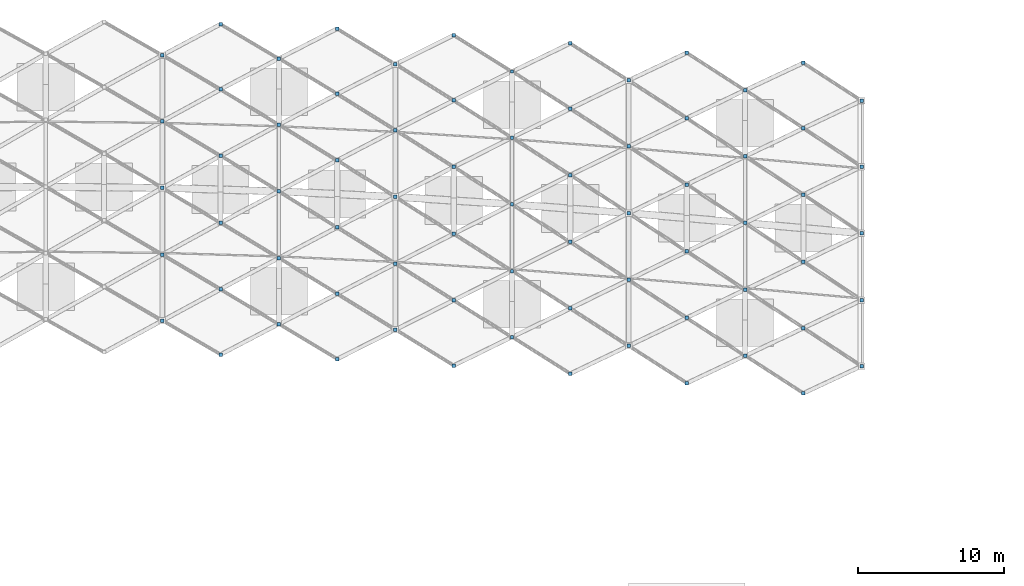
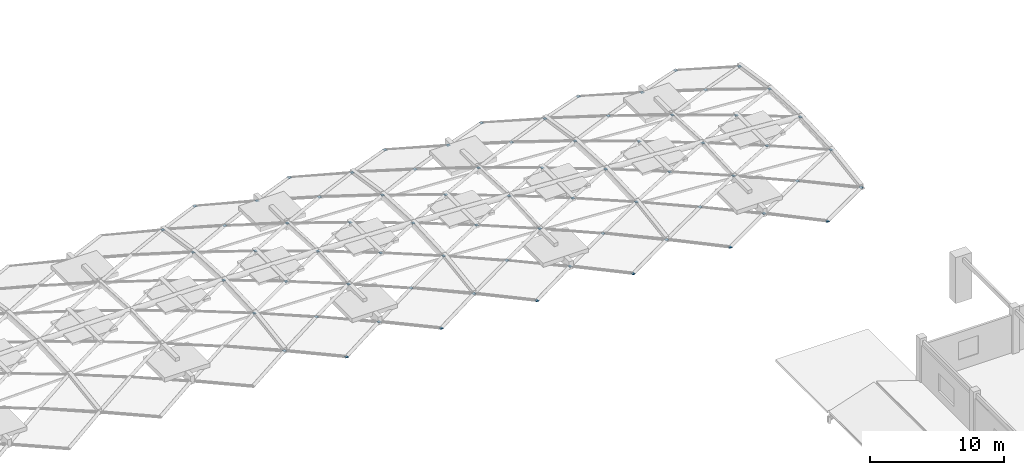
# One storey, part 22 of 27: 71 discrete accessories.
"""IFC4 building model written with IfcOpenShell, lengths in metres."""

import ifcopenshell
import ifcopenshell.guid

model = None  # the IFC model being written
_history = None  # IfcOwnerHistory: only IFC2X3 demands one
_inside = {}  # id of a spatial element -> (the spatial element, [elements in it])
_under = {}  # id of a project, library or spatial element -> (it, [spatial elements below it])
_declared = {}  # id of a project -> (the project, [libraries it declares])
_typed = {}  # id of a type object -> (the type object, [elements of that type])
_made_of = {}  # id of a material, layer set ... -> (it, [elements and type objects made of it])


def new_model(schema):
    """Start an empty IFC model of exactly this schema.

    Asked for "IFC4X3", IfcOpenShell would pick the latest addendum, in which some entities
    have other attributes; the version numbers below select the first issue.
    IFC2X3 requires an IfcOwnerHistory on every rooted entity: one is made here for all.
    """
    global model, _history
    if schema == "IFC4X3":
        model = ifcopenshell.file(schema_version=(4, 3, 0, 0))
    else:
        model = ifcopenshell.file(schema=schema)
    _inside.clear()
    _under.clear()
    _declared.clear()
    _typed.clear()
    _made_of.clear()
    _history = None
    if model.schema == "IFC2X3":
        org = make("IfcOrganization", Name="unknown")
        user = make(
            "IfcPersonAndOrganization",
            ThePerson=make("IfcPerson", FamilyName="unknown"),
            TheOrganization=org,
        )
        app = make(
            "IfcApplication",
            ApplicationDeveloper=org,
            Version="unknown",
            ApplicationFullName="unknown",
            ApplicationIdentifier="unknown",
        )
        _history = make(
            "IfcOwnerHistory",
            OwningUser=user,
            OwningApplication=app,
            ChangeAction="ADDED",
            CreationDate=0,
        )
    return model


def make(cls, **values):
    """One entity of the class cls with the attributes given. An attribute that is None is left unset."""
    return model.create_entity(
        cls, **{name: value for name, value in values.items() if value is not None}
    )


def rooted(cls, **values):
    """An entity with a GlobalId (a new one), such as an element, a storey or a relation."""
    return make(cls, GlobalId=ifcopenshell.guid.new(), OwnerHistory=_history, **values)


def si_unit(unit_type, name, prefix=None):
    """IfcSIUnit, for example si_unit("LENGTHUNIT", "METRE", prefix="MILLI")."""
    return make("IfcSIUnit", UnitType=unit_type, Prefix=prefix, Name=name)


def assignment(units):
    """IfcUnitAssignment: the units of a project."""
    return None if units is None else make("IfcUnitAssignment", Units=units)


def point(xyz):
    """IfcCartesianPoint."""
    return None if xyz is None else make("IfcCartesianPoint", Coordinates=xyz)


def direction(xyz):
    """IfcDirection."""
    return None if xyz is None else make("IfcDirection", DirectionRatios=xyz)


def frame(location, z_axis=None, x_axis=None):
    """IfcAxis2Placement3D, a coordinate frame: its origin and axes. An axis left out is left unset."""
    return make(
        "IfcAxis2Placement3D",
        Location=point(location),
        Axis=direction(z_axis),
        RefDirection=direction(x_axis),
    )


def frame_2d(location, x_axis=None):
    """IfcAxis2Placement2D, a coordinate frame in the plane: its origin and x axis."""
    return make(
        "IfcAxis2Placement2D", Location=point(location), RefDirection=direction(x_axis)
    )


def origin():
    """The frame at (0, 0, 0) with its axes left unset."""
    return frame((0.0, 0.0, 0.0))


def origin_2d():
    """The frame at (0, 0) in the plane with its x axis left unset."""
    return frame_2d((0.0, 0.0))


def place(relative_to, where):
    """IfcLocalPlacement: puts the frame where relative to a parent placement (None: the world)."""
    return make(
        "IfcLocalPlacement", PlacementRelTo=relative_to, RelativePlacement=where
    )


def context(
    kind, dimensions, precision=None, world=None, true_north=None, identifier=None
):
    """IfcGeometricRepresentationContext, for example the 3D "Model" context."""
    return make(
        "IfcGeometricRepresentationContext",
        ContextIdentifier=identifier,
        ContextType=kind,
        CoordinateSpaceDimension=dimensions,
        Precision=precision,
        WorldCoordinateSystem=world,
        TrueNorth=true_north,
    )


def subcontext(parent, identifier, kind, view, scale=None):
    """IfcGeometricRepresentationSubContext, for example "Body" below "Model"."""
    return make(
        "IfcGeometricRepresentationSubContext",
        ContextIdentifier=identifier,
        ContextType=kind,
        ParentContext=parent,
        TargetScale=scale,
        TargetView=view,
    )


def project(units=None, contexts=None):
    """IfcProject with its units and contexts."""
    return rooted(
        "IfcProject",
        Name="project",
        RepresentationContexts=contexts,
        UnitsInContext=assignment(units),
    )


def spatial(cls, under=None, at=None, **own):
    """A site, building, storey or space (cls), placed at a placement, below another one or the project."""
    s = rooted(cls, ObjectPlacement=at, **own)
    if under is not None:
        _under.setdefault(under.id(), (under, []))[1].append(s)
    return s


def profile(cls, at=None, kind="AREA", **sizes):
    """A parametric profile (cls). Its sizes go by their IFC names, for example OverallWidth=200.0."""
    return make(cls, ProfileType=kind, Position=at, **sizes)


def rectangle(**sizes):
    """IfcRectangleProfileDef."""
    return profile("IfcRectangleProfileDef", **sizes)


def extrude(swept, where, along, depth):
    """IfcExtrudedAreaSolid: the profile swept, set in the frame where, extruded along a direction by depth."""
    return make(
        "IfcExtrudedAreaSolid",
        SweptArea=swept,
        Position=where,
        ExtrudedDirection=direction(along),
        Depth=depth,
    )


def shape(context_of_items, identifier, shape_type, items):
    """IfcShapeRepresentation: the items that make up one representation, for example the "Body"."""
    return make(
        "IfcShapeRepresentation",
        ContextOfItems=context_of_items,
        RepresentationIdentifier=identifier,
        RepresentationType=shape_type,
        Items=items,
    )


def material(Name=None, Category=None):
    """IfcMaterial."""
    return make("IfcMaterial", Name=Name, Category=Category)


def made_of(thing, what):
    """Note that an element or type object is made of a material, layer set ...; save() writes the relation."""
    if what is not None:
        _made_of.setdefault(what.id(), (what, []))[1].append(thing)
    return thing


def type_object(cls, material=None, **own):
    """A type object (cls), such as IfcWallType, which elements share."""
    return made_of(rooted(cls, **own), material)


def element(
    cls,
    number,
    at=None,
    inside=None,
    cuts=None,
    type_object=None,
    material=None,
    context=None,
    identifier="Body",
    shape_type=None,
    held_by="IfcProductDefinitionShape",
    body=None,
    shapes=None,
    **own,
):
    """One element of the class cls, such as IfcWall. Its Tag is "e" and its number.

    at: its placement. inside: the storey or other place that contains it. cuts: it is an
    opening in that element (IfcRelVoidsElement). A single representation is given by context,
    identifier, shape_type and body (its items); several are given by shapes. held_by: the class
    of the entity that holds the representations. save() writes the other relations.
    """
    e = rooted(cls, Tag="e%d" % number, ObjectPlacement=at, **own)
    if body is not None:
        shapes = [shape(context, identifier, shape_type, body)]
    if shapes is not None:
        e.Representation = make(held_by, Representations=shapes)
    if inside is not None:
        _inside.setdefault(inside.id(), (inside, []))[1].append(e)
    if cuts is not None:
        rooted(
            "IfcRelVoidsElement", RelatingBuildingElement=cuts, RelatedOpeningElement=e
        )
    if type_object is not None:
        _typed.setdefault(type_object.id(), (type_object, []))[1].append(e)
    return made_of(e, material)


def aggregate(whole, parts):
    """IfcRelAggregates: a whole, such as a stair, and the parts it consists of."""
    return rooted("IfcRelAggregates", RelatingObject=whole, RelatedObjects=parts)


def save(model, path):
    """Write the relations noted so far, then the file.

    IfcRelAggregates (storeys below a building ...), IfcRelContainedInSpatialStructure (elements
    in a storey), IfcRelDefinesByType, IfcRelAssociatesMaterial and IfcRelDeclares: one each for
    every whole, place, type object, material and project.
    """
    for whole, parts in _under.values():
        aggregate(whole, parts)
    for where, things in _inside.values():
        rooted(
            "IfcRelContainedInSpatialStructure",
            RelatedElements=things,
            RelatingStructure=where,
        )
    for kind, things in _typed.values():
        rooted("IfcRelDefinesByType", RelatedObjects=things, RelatingType=kind)
    for what, things in _made_of.values():
        rooted("IfcRelAssociatesMaterial", RelatedObjects=things, RelatingMaterial=what)
    for by, libraries in _declared.values():
        rooted("IfcRelDeclares", RelatingContext=by, RelatedDefinitions=libraries)
    model.write(path)


model = new_model("IFC4")

# Units and contexts
model_context = context("Model", 3, precision=1e-05, world=origin(), true_north=direction((0.0, 1.0)))
body_context = subcontext(model_context, "Body", "Model", "MODEL_VIEW")
ifc_project = project(units=[si_unit("LENGTHUNIT", "METRE"), si_unit("AREAUNIT", "SQUARE_METRE"), si_unit("VOLUMEUNIT", "CUBIC_METRE"), si_unit("PLANEANGLEUNIT", "RADIAN"), si_unit("MASSUNIT", "GRAM", prefix="KILO")], contexts=[model_context])

# Site, building, storey
site_placement = place(None, origin())
site = spatial("IfcSite", under=ifc_project, at=site_placement, CompositionType="ELEMENT")
building_placement = place(site_placement, origin())
building = spatial("IfcBuilding", under=site, at=building_placement, Name="Kenh Van Central Station", CompositionType="ELEMENT")
storey_placement = place(building_placement, frame((0.0, 0.0, 19.199951171875)))
storey = spatial("IfcBuildingStorey", under=building, at=storey_placement, Name="L04", CompositionType="ELEMENT", Elevation=19.199951171875)

# Discrete accessories
ifc_material = material(Name="White fluoropolymer structural steel S355", Category="steel")
discrete_accessory_type = type_object("IfcDiscreteAccessoryType", Name="ACC-END-NODE-VLT", PredefinedType="BRACKET", material=ifc_material)
for number, where, z_axis, x_axis, name in (
    (1, (96.0, 82.0068359375, 1.0693359375), (0.0, 0.0, 1.0), (1.0, 0.0, 0.0), "L04 brace end connection node plate 0171"),
    (2, (96.0, 86.53955078125, 1.76220703125), (0.0, 0.0, 1.0), (1.0, 0.0, 0.0), "L04 brace end connection node plate 0172"),
    (3, (96.0, 91.119873046875, 1.987548828125), (0.0, 0.0, 1.0), (1.0, 0.0, 0.0), "L04 brace end connection node plate 0173"),
    (4, (96.0, 95.699951171875, 1.76220703125), (0.0, 0.0, 1.0), (1.0, 0.0, 0.0), "L04 brace end connection node plate 0174"),
    (5, (96.0, 100.23291015625, 1.0693359375), (0.0, 0.0, 1.0), (1.0, 0.0, 0.0), "L04 brace end connection node plate 0175"),
    (6, (100.0, 79.677490234375, 0.533203125), (0.0, 0.0, 1.0), (1.0, 0.0, 0.0), "L04 brace end connection node plate 0180"),
    (7, (100.0, 84.16455078125, 1.476318359375), (0.0, 0.0, 1.0), (1.0, 0.0, 0.0), "L04 brace end connection node plate 0181"),
    (8, (100.0, 88.7275390625, 1.931396484375), (0.0, 0.0, 1.0), (1.0, 0.0, 0.0), "L04 brace end connection node plate 0182"),
    (9, (100.0, 93.313232421875, 1.931396484375), (0.0, 0.0, 1.0), (1.0, 0.0, 0.0), "L04 brace end connection node plate 0183"),
    (10, (100.0, 97.876220703125, 1.476318359375), (0.0, 0.0, 1.0), (1.0, 0.0, 0.0), "L04 brace end connection node plate 0184"),
    (11, (100.0, 102.36328125, 0.533203125), (0.0, 0.0, 1.0), (1.0, 0.0, 0.0), "L04 brace end connection node plate 0185"),
    (12, (104.0, 81.77001953125, 1.0693359375), (0.0, 0.0, 1.0), (1.0, 0.0, 0.0), "L04 brace end connection node plate 0192"),
    (13, (104.0, 86.302978515625, 1.76220703125), (0.0, 0.0, 1.0), (1.0, 0.0, 0.0), "L04 brace end connection node plate 0193"),
    (14, (104.0, 90.883056640625, 1.987548828125), (0.0, 0.0, 1.0), (1.0, 0.0, 0.0), "L04 brace end connection node plate 0194"),
    (15, (104.0, 95.46337890625, 1.76220703125), (0.0, 0.0, 1.0), (1.0, 0.0, 0.0), "L04 brace end connection node plate 0195"),
    (16, (104.0, 99.99609375, 1.0693359375), (0.0, 0.0, 1.0), (1.0, 0.0, 0.0), "L04 brace end connection node plate 0196"),
    (17, (108.0, 79.36669921875, 0.533203125), (0.0, 0.0, 1.0), (1.0, 0.0, 0.0), "L04 brace end connection node plate 0201"),
    (18, (108.0, 83.853515625, 1.476318359375), (0.0, 0.0, 1.0), (1.0, 0.0, 0.0), "L04 brace end connection node plate 0202"),
    (19, (108.0, 88.41650390625, 1.931396484375), (0.0, 0.0, 1.0), (1.0, 0.0, 0.0), "L04 brace end connection node plate 0203"),
    (20, (108.0, 93.00244140625, 1.931396484375), (0.0, 0.0, 1.0), (1.0, 0.0, 0.0), "L04 brace end connection node plate 0204"),
    (21, (108.0, 97.5654296875, 1.476318359375), (0.0, 0.0, 1.0), (1.0, 0.0, 0.0), "L04 brace end connection node plate 0205"),
    (22, (108.0, 102.052490234375, 0.533203125), (0.0, 0.0, 1.0), (1.0, 0.0, 0.0), "L04 brace end connection node plate 0206"),
    (23, (112.0, 81.388916015625, 1.0693359375), (0.0, 0.0, 1.0), (1.0, 0.0, 0.0), "L04 brace end connection node plate 0213"),
    (24, (112.0, 85.921630859375, 1.76220703125), (0.0, 0.0, 1.0), (1.0, 0.0, 0.0), "L04 brace end connection node plate 0214"),
    (25, (112.0, 90.501953125, 1.987548828125), (0.0, 0.0, 1.0), (1.0, 0.0, 0.0), "L04 brace end connection node plate 0215"),
    (26, (112.0, 95.08203125, 1.76220703125), (0.0, 0.0, 1.0), (1.0, 0.0, 0.0), "L04 brace end connection node plate 0216"),
    (27, (112.0, 99.614990234375, 1.0693359375), (0.0, 0.0, 1.0), (1.0, 0.0, 0.0), "L04 brace end connection node plate 0217"),
    (28, (116.0, 78.919921875, 0.533203125), (0.0, 0.0, 1.0), (1.0, 0.0, 0.0), "L04 brace end connection node plate 0222"),
    (29, (116.0, 83.40673828125, 1.476318359375), (0.0, 0.0, 1.0), (1.0, 0.0, 0.0), "L04 brace end connection node plate 0223"),
    (30, (116.0, 87.9697265625, 1.931396484375), (0.0, 0.0, 1.0), (1.0, 0.0, 0.0), "L04 brace end connection node plate 0224"),
    (31, (116.0, 92.5556640625, 1.931396484375), (0.0, 0.0, 1.0), (1.0, 0.0, 0.0), "L04 brace end connection node plate 0225"),
    (32, (116.0, 97.11865234375, 1.476318359375), (0.0, 0.0, 1.0), (1.0, 0.0, 0.0), "L04 brace end connection node plate 0226"),
    (33, (116.0, 101.605712890625, 0.533203125), (0.0, 0.0, 1.0), (1.0, 0.0, 0.0), "L04 brace end connection node plate 0227"),
    (34, (120.0, 80.882080078125, 1.0693359375), (0.0, 0.0, 1.0), (1.0, 0.0, 0.0), "L04 brace end connection node plate 0234"),
    (35, (120.0, 85.4150390625, 1.76220703125), (0.0, 0.0, 1.0), (1.0, 0.0, 0.0), "L04 brace end connection node plate 0235"),
    (36, (120.0, 89.9951171875, 1.987548828125), (0.0, 0.0, 1.0), (1.0, 0.0, 0.0), "L04 brace end connection node plate 0236"),
    (37, (120.0, 94.575439453125, 1.76220703125), (0.0, 0.0, 1.0), (1.0, 0.0, 0.0), "L04 brace end connection node plate 0237"),
    (38, (120.0, 99.108154296875, 1.0693359375), (0.0, 0.0, 1.0), (1.0, 0.0, 0.0), "L04 brace end connection node plate 0238"),
    (39, (124.0, 78.359619140625, 0.533203125), (0.0, 0.0, 1.0), (1.0, 0.0, 0.0), "L04 brace end connection node plate 0243"),
    (40, (124.0, 82.8466796875, 1.476318359375), (0.0, 0.0, 1.0), (1.0, 0.0, 0.0), "L04 brace end connection node plate 0244"),
    (41, (124.0, 87.40966796875, 1.931396484375), (0.0, 0.0, 1.0), (1.0, 0.0, 0.0), "L04 brace end connection node plate 0245"),
    (42, (124.0, 91.995361328125, 1.931396484375), (0.0, 0.0, 1.0), (1.0, 0.0, 0.0), "L04 brace end connection node plate 0246"),
    (43, (124.0, 96.558349609375, 1.476318359375), (0.0, 0.0, 1.0), (1.0, 0.0, 0.0), "L04 brace end connection node plate 0247"),
    (44, (124.0, 101.04541015625, 0.533203125), (0.0, 0.0, 1.0), (1.0, 0.0, 0.0), "L04 brace end connection node plate 0248"),
    (45, (128.0, 80.275390625, 1.0693359375), (0.0, 0.0, 1.0), (1.0, 0.0, 0.0), "L04 brace end connection node plate 0255"),
    (46, (128.0, 84.80810546875, 1.76220703125), (0.0, 0.0, 1.0), (1.0, 0.0, 0.0), "L04 brace end connection node plate 0256"),
    (47, (128.0, 89.388427734375, 1.987548828125), (0.0, 0.0, 1.0), (1.0, 0.0, 0.0), "L04 brace end connection node plate 0257"),
    (48, (128.0, 93.968505859375, 1.76220703125), (0.0, 0.0, 1.0), (1.0, 0.0, 0.0), "L04 brace end connection node plate 0258"),
    (49, (128.0, 98.50146484375, 1.0693359375), (0.0, 0.0, 1.0), (1.0, 0.0, 0.0), "L04 brace end connection node plate 0259"),
    (50, (132.0, 77.714111328125, 0.533203125), (0.0, 0.0, 1.0), (1.0, 0.0, 0.0), "L04 brace end connection node plate 0264"),
    (51, (132.0, 82.200927734375, 1.476318359375), (0.0, 0.0, 1.0), (1.0, 0.0, 0.0), "L04 brace end connection node plate 0265"),
    (52, (132.0, 86.763916015625, 1.931396484375), (0.0, 0.0, 1.0), (1.0, 0.0, 0.0), "L04 brace end connection node plate 0266"),
    (53, (132.0, 91.349853515625, 1.931396484375), (0.0, 0.0, 1.0), (1.0, 0.0, 0.0), "L04 brace end connection node plate 0267"),
    (54, (132.0, 95.912841796875, 1.476318359375), (0.0, 0.0, 1.0), (1.0, 0.0, 0.0), "L04 brace end connection node plate 0268"),
    (55, (132.0, 100.39990234375, 0.533203125), (0.0, 0.0, 1.0), (1.0, 0.0, 0.0), "L04 brace end connection node plate 0269"),
    (56, (136.0, 79.59912109375, 1.0693359375), (0.0, 0.0, 1.0), (1.0, 0.0, 0.0), "L04 brace end connection node plate 0276"),
    (57, (136.0, 84.1318359375, 1.76220703125), (0.0, 0.0, 1.0), (1.0, 0.0, 0.0), "L04 brace end connection node plate 0277"),
    (58, (136.0, 88.712158203125, 1.987548828125), (0.0, 0.0, 1.0), (1.0, 0.0, 0.0), "L04 brace end connection node plate 0278"),
    (59, (136.0, 93.292236328125, 1.76220703125), (0.0, 0.0, 1.0), (1.0, 0.0, 0.0), "L04 brace end connection node plate 0279"),
    (60, (136.0, 97.8251953125, 1.0693359375), (0.0, 0.0, 1.0), (1.0, 0.0, 0.0), "L04 brace end connection node plate 0280"),
    (61, (140.0, 77.015380859375, 0.533203125), (0.0, 0.0, 1.0), (1.0, 0.0, 0.0), "L04 brace end connection node plate 0285"),
    (62, (140.0, 81.50244140625, 1.476318359375), (0.0, 0.0, 1.0), (1.0, 0.0, 0.0), "L04 brace end connection node plate 0286"),
    (63, (140.0, 86.0654296875, 1.931396484375), (0.0, 0.0, 1.0), (1.0, 0.0, 0.0), "L04 brace end connection node plate 0287"),
    (64, (140.0, 90.651123046875, 1.931396484375), (0.0, 0.0, 1.0), (1.0, 0.0, 0.0), "L04 brace end connection node plate 0288"),
    (65, (140.0, 95.214111328125, 1.476318359375), (0.0, 0.0, 1.0), (1.0, 0.0, 0.0), "L04 brace end connection node plate 0289"),
    (66, (140.0, 99.701171875, 0.533203125), (0.0, 0.0, 1.0), (1.0, 0.0, 0.0), "L04 brace end connection node plate 0290"),
    (67, (144.0, 78.886962890625, 1.0693359375), (0.0, 0.0, 1.0), (1.0, 0.0, 0.0), "L04 brace end connection node plate 0297"),
    (68, (144.0, 83.419921875, 1.76220703125), (0.0, 0.0, 1.0), (1.0, 0.0, 0.0), "L04 brace end connection node plate 0298"),
    (69, (144.0, 88.0, 1.987548828125), (0.0, 0.0, 1.0), (1.0, 0.0, 0.0), "L04 brace end connection node plate 0299"),
    (70, (144.0, 92.580078125, 1.76220703125), (0.0, 0.0, 1.0), (1.0, 0.0, 0.0), "L04 brace end connection node plate 0300"),
    (71, (144.0, 97.113037109375, 1.0693359375), (0.0, 0.0, 1.0), (1.0, 0.0, 0.0), "L04 brace end connection node plate 0301"),
):
    element("IfcDiscreteAccessory", number, at=place(storey_placement, frame(where, z_axis=z_axis, x_axis=x_axis)), inside=storey, type_object=discrete_accessory_type, Name=name, PredefinedType="BRACKET", context=body_context, shape_type="SweptSolid", body=[
        extrude(rectangle(XDim=0.239990234375, YDim=0.239990234375, at=origin_2d()), origin(), (0.0, 0.0, 1.0), 0.02490234375),
    ])

save(model, "model.ifc")
